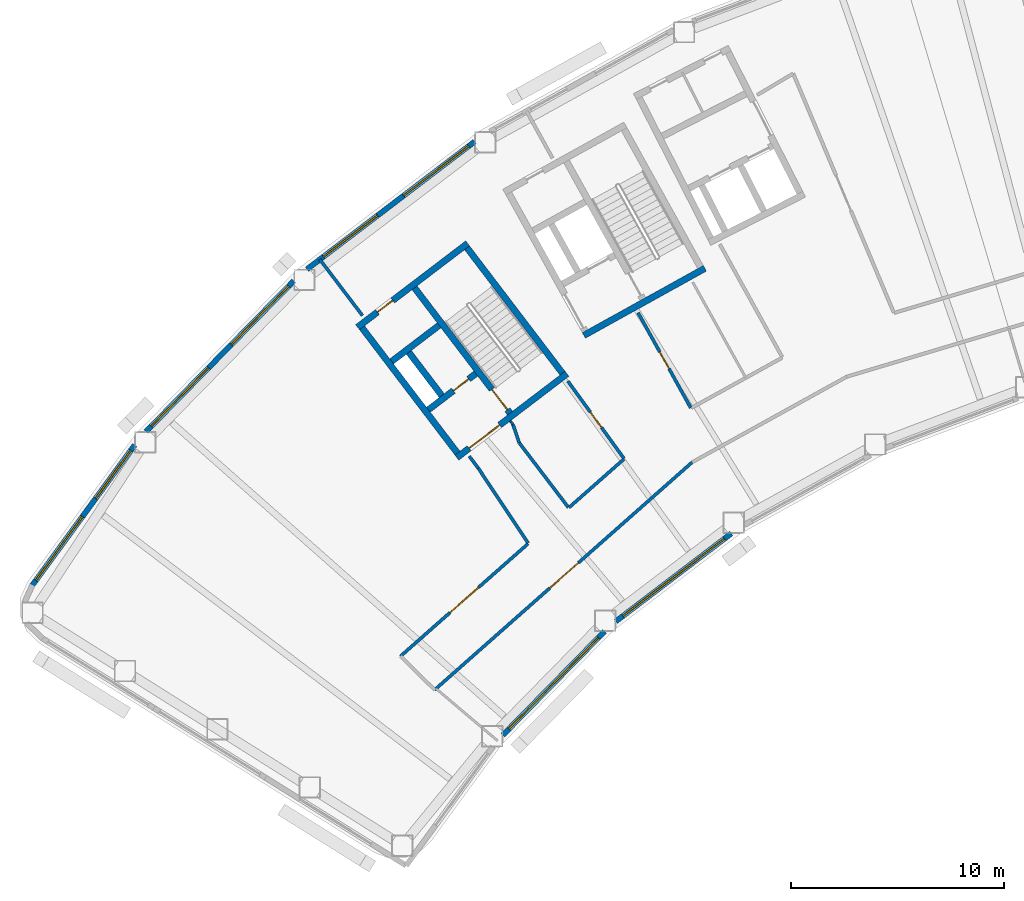
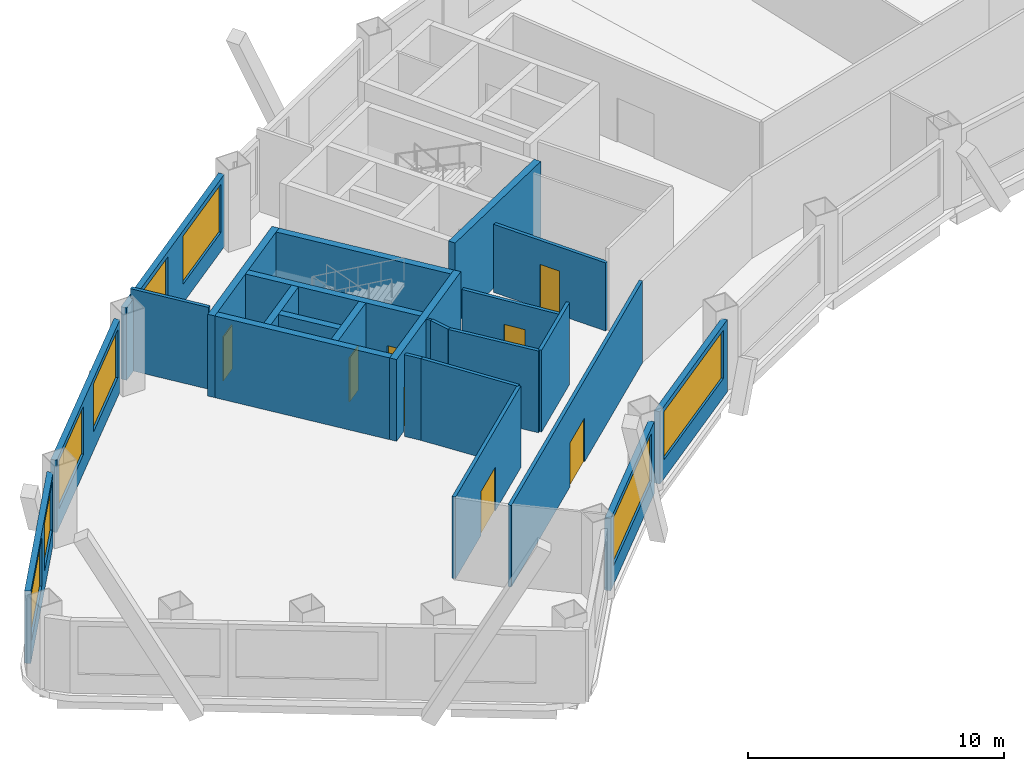
# One storey, part 3 of 11: 25 walls, 8 doors, 8 windows, 16 openings.
"""IFC4 building model written with IfcOpenShell, lengths in metres."""

import ifcopenshell
import ifcopenshell.guid

model = None  # the IFC model being written
_history = None  # IfcOwnerHistory: only IFC2X3 demands one
_inside = {}  # id of a spatial element -> (the spatial element, [elements in it])
_under = {}  # id of a project, library or spatial element -> (it, [spatial elements below it])
_declared = {}  # id of a project -> (the project, [libraries it declares])
_typed = {}  # id of a type object -> (the type object, [elements of that type])
_made_of = {}  # id of a material, layer set ... -> (it, [elements and type objects made of it])


def new_model(schema):
    """Start an empty IFC model of exactly this schema.

    Asked for "IFC4X3", IfcOpenShell would pick the latest addendum, in which some entities
    have other attributes; the version numbers below select the first issue.
    IFC2X3 requires an IfcOwnerHistory on every rooted entity: one is made here for all.
    """
    global model, _history
    if schema == "IFC4X3":
        model = ifcopenshell.file(schema_version=(4, 3, 0, 0))
    else:
        model = ifcopenshell.file(schema=schema)
    _inside.clear()
    _under.clear()
    _declared.clear()
    _typed.clear()
    _made_of.clear()
    _history = None
    if model.schema == "IFC2X3":
        org = make("IfcOrganization", Name="unknown")
        user = make(
            "IfcPersonAndOrganization",
            ThePerson=make("IfcPerson", FamilyName="unknown"),
            TheOrganization=org,
        )
        app = make(
            "IfcApplication",
            ApplicationDeveloper=org,
            Version="unknown",
            ApplicationFullName="unknown",
            ApplicationIdentifier="unknown",
        )
        _history = make(
            "IfcOwnerHistory",
            OwningUser=user,
            OwningApplication=app,
            ChangeAction="ADDED",
            CreationDate=0,
        )
    return model


def make(cls, **values):
    """One entity of the class cls with the attributes given. An attribute that is None is left unset."""
    return model.create_entity(
        cls, **{name: value for name, value in values.items() if value is not None}
    )


def rooted(cls, **values):
    """An entity with a GlobalId (a new one), such as an element, a storey or a relation."""
    return make(cls, GlobalId=ifcopenshell.guid.new(), OwnerHistory=_history, **values)


def si_unit(unit_type, name, prefix=None):
    """IfcSIUnit, for example si_unit("LENGTHUNIT", "METRE", prefix="MILLI")."""
    return make("IfcSIUnit", UnitType=unit_type, Prefix=prefix, Name=name)


def assignment(units):
    """IfcUnitAssignment: the units of a project."""
    return None if units is None else make("IfcUnitAssignment", Units=units)


def point(xyz):
    """IfcCartesianPoint."""
    return None if xyz is None else make("IfcCartesianPoint", Coordinates=xyz)


def direction(xyz):
    """IfcDirection."""
    return None if xyz is None else make("IfcDirection", DirectionRatios=xyz)


def frame(location, z_axis=None, x_axis=None):
    """IfcAxis2Placement3D, a coordinate frame: its origin and axes. An axis left out is left unset."""
    return make(
        "IfcAxis2Placement3D",
        Location=point(location),
        Axis=direction(z_axis),
        RefDirection=direction(x_axis),
    )


def frame_2d(location, x_axis=None):
    """IfcAxis2Placement2D, a coordinate frame in the plane: its origin and x axis."""
    return make(
        "IfcAxis2Placement2D", Location=point(location), RefDirection=direction(x_axis)
    )


def origin():
    """The frame at (0, 0, 0) with its axes left unset."""
    return frame((0.0, 0.0, 0.0))


def place(relative_to, where):
    """IfcLocalPlacement: puts the frame where relative to a parent placement (None: the world)."""
    return make(
        "IfcLocalPlacement", PlacementRelTo=relative_to, RelativePlacement=where
    )


def context(
    kind, dimensions, precision=None, world=None, true_north=None, identifier=None
):
    """IfcGeometricRepresentationContext, for example the 3D "Model" context."""
    return make(
        "IfcGeometricRepresentationContext",
        ContextIdentifier=identifier,
        ContextType=kind,
        CoordinateSpaceDimension=dimensions,
        Precision=precision,
        WorldCoordinateSystem=world,
        TrueNorth=true_north,
    )


def subcontext(parent, identifier, kind, view, scale=None):
    """IfcGeometricRepresentationSubContext, for example "Body" below "Model"."""
    return make(
        "IfcGeometricRepresentationSubContext",
        ContextIdentifier=identifier,
        ContextType=kind,
        ParentContext=parent,
        TargetScale=scale,
        TargetView=view,
    )


def project(units=None, contexts=None):
    """IfcProject with its units and contexts."""
    return rooted(
        "IfcProject",
        Name="project",
        RepresentationContexts=contexts,
        UnitsInContext=assignment(units),
    )


def spatial(cls, under=None, at=None, **own):
    """A site, building, storey or space (cls), placed at a placement, below another one or the project."""
    s = rooted(cls, ObjectPlacement=at, **own)
    if under is not None:
        _under.setdefault(under.id(), (under, []))[1].append(s)
    return s


def profile(cls, at=None, kind="AREA", **sizes):
    """A parametric profile (cls). Its sizes go by their IFC names, for example OverallWidth=200.0."""
    return make(cls, ProfileType=kind, Position=at, **sizes)


def rectangle(**sizes):
    """IfcRectangleProfileDef."""
    return profile("IfcRectangleProfileDef", **sizes)


def extrude(swept, where, along, depth):
    """IfcExtrudedAreaSolid: the profile swept, set in the frame where, extruded along a direction by depth."""
    return make(
        "IfcExtrudedAreaSolid",
        SweptArea=swept,
        Position=where,
        ExtrudedDirection=direction(along),
        Depth=depth,
    )


def shape(context_of_items, identifier, shape_type, items):
    """IfcShapeRepresentation: the items that make up one representation, for example the "Body"."""
    return make(
        "IfcShapeRepresentation",
        ContextOfItems=context_of_items,
        RepresentationIdentifier=identifier,
        RepresentationType=shape_type,
        Items=items,
    )


def material(Name=None, Category=None):
    """IfcMaterial."""
    return make("IfcMaterial", Name=Name, Category=Category)


def layer(
    of_material, thickness, ventilated=None, Name=None, Category=None, Priority=None
):
    """IfcMaterialLayer: one layer of a wall or slab, of a material (None: an air gap)."""
    return make(
        "IfcMaterialLayer",
        Material=of_material,
        LayerThickness=thickness,
        IsVentilated=ventilated,
        Name=Name,
        Category=Category,
        Priority=Priority,
    )


def layer_set(layers, Name=None):
    """IfcMaterialLayerSet."""
    return make("IfcMaterialLayerSet", MaterialLayers=layers, LayerSetName=Name)


def made_of(thing, what):
    """Note that an element or type object is made of a material, layer set ...; save() writes the relation."""
    if what is not None:
        _made_of.setdefault(what.id(), (what, []))[1].append(thing)
    return thing


def type_object(cls, material=None, **own):
    """A type object (cls), such as IfcWallType, which elements share."""
    return made_of(rooted(cls, **own), material)


def element(
    cls,
    number,
    at=None,
    inside=None,
    cuts=None,
    type_object=None,
    material=None,
    context=None,
    identifier="Body",
    shape_type=None,
    held_by="IfcProductDefinitionShape",
    body=None,
    shapes=None,
    **own,
):
    """One element of the class cls, such as IfcWall. Its Tag is "e" and its number.

    at: its placement. inside: the storey or other place that contains it. cuts: it is an
    opening in that element (IfcRelVoidsElement). A single representation is given by context,
    identifier, shape_type and body (its items); several are given by shapes. held_by: the class
    of the entity that holds the representations. save() writes the other relations.
    """
    e = rooted(cls, Tag="e%d" % number, ObjectPlacement=at, **own)
    if body is not None:
        shapes = [shape(context, identifier, shape_type, body)]
    if shapes is not None:
        e.Representation = make(held_by, Representations=shapes)
    if inside is not None:
        _inside.setdefault(inside.id(), (inside, []))[1].append(e)
    if cuts is not None:
        rooted(
            "IfcRelVoidsElement", RelatingBuildingElement=cuts, RelatedOpeningElement=e
        )
    if type_object is not None:
        _typed.setdefault(type_object.id(), (type_object, []))[1].append(e)
    return made_of(e, material)


def fill(opening, filler):
    """IfcRelFillsElement: the door or window that sits in an opening."""
    return rooted(
        "IfcRelFillsElement",
        RelatingOpeningElement=opening,
        RelatedBuildingElement=filler,
    )


def aggregate(whole, parts):
    """IfcRelAggregates: a whole, such as a stair, and the parts it consists of."""
    return rooted("IfcRelAggregates", RelatingObject=whole, RelatedObjects=parts)


def save(model, path):
    """Write the relations noted so far, then the file.

    IfcRelAggregates (storeys below a building ...), IfcRelContainedInSpatialStructure (elements
    in a storey), IfcRelDefinesByType, IfcRelAssociatesMaterial and IfcRelDeclares: one each for
    every whole, place, type object, material and project.
    """
    for whole, parts in _under.values():
        aggregate(whole, parts)
    for where, things in _inside.values():
        rooted(
            "IfcRelContainedInSpatialStructure",
            RelatedElements=things,
            RelatingStructure=where,
        )
    for kind, things in _typed.values():
        rooted("IfcRelDefinesByType", RelatedObjects=things, RelatingType=kind)
    for what, things in _made_of.values():
        rooted("IfcRelAssociatesMaterial", RelatedObjects=things, RelatingMaterial=what)
    for by, libraries in _declared.values():
        rooted("IfcRelDeclares", RelatingContext=by, RelatedDefinitions=libraries)
    model.write(path)


model = new_model("IFC4")

# Units and contexts
model_context = context("Model", 3, precision=1e-05, world=origin(), true_north=direction((0.0, 1.0)))
body_context = subcontext(model_context, "Body", "Model", "MODEL_VIEW")
ifc_project = project(units=[si_unit("LENGTHUNIT", "METRE"), si_unit("AREAUNIT", "SQUARE_METRE"), si_unit("VOLUMEUNIT", "CUBIC_METRE"), si_unit("PLANEANGLEUNIT", "RADIAN"), si_unit("MASSUNIT", "GRAM", prefix="KILO")], contexts=[model_context])

# Site, building, storey
site_placement = place(None, origin())
site = spatial("IfcSite", under=ifc_project, at=site_placement, CompositionType="ELEMENT")
building_placement = place(site_placement, origin())
building = spatial("IfcBuilding", under=site, at=building_placement, Name="Tuul Gate Civic Tower", CompositionType="ELEMENT")
storey_placement = place(building_placement, frame((0.0, 0.0, 146.60009765625)))
storey = spatial("IfcBuildingStorey", under=building, at=storey_placement, Name="Level 33", CompositionType="ELEMENT", Elevation=146.60009765625)

# Wall, opening, door
ifc_material_1 = material(Name="Concrete C50/60", Category="concrete")
ifc_layer_1 = layer(ifc_material_1, 0.300048828125)
ifc_layer_set_1 = layer_set([ifc_layer_1], Name="Concrete C50/60")
wall_type_1 = type_object("IfcWallType", Name="Core wall C50/60", PredefinedType="SHEAR", material=ifc_layer_set_1)
wall_1_placement = place(storey_placement, frame((-31.19091796875, -13.669677734375, 0.0), z_axis=(0.0, 0.0, 1.0), x_axis=(-0.795606717756, -0.605813461934, 0.0)))
wall_1 = element("IfcWall", 1, at=wall_1_placement, inside=storey, type_object=wall_type_1, Name="Core wall", PredefinedType="SHEAR", context=body_context, shape_type="SweptSolid", body=[
    extrude(rectangle(XDim=6.5, YDim=0.300048828125, at=frame_2d((3.25, 0.0))), origin(), (0.0, 0.0, 1.0), 3.89990234375),
])
opening_1_placement = place(wall_1_placement, frame((3.97509765625, 0.0, 0.0)))
opening_1 = element("IfcOpeningElement", 2, at=opening_1_placement, cuts=wall_1, Name="Opening LB-W1-LOBBY-1", PredefinedType="OPENING", context=body_context, shape_type="SweptSolid", body=[
    extrude(rectangle(XDim=1.800048828125, YDim=2.10009765625, at=frame_2d((0.89990234375, 1.050048828125))), frame((0.0, 0.16015625, 0.0), z_axis=(0.0, -1.0, 0.0), x_axis=(1.0, 0.0, 0.0)), (0.0, 0.0, 1.0), 0.320068359375),
])
ifc_material_2 = material(Name="Steel", Category="steel")
door_type_1 = type_object("IfcDoorType", Name="Lobby door", OperationType="DOUBLE_DOOR_SINGLE_SWING", PredefinedType="DOOR", material=ifc_material_2)
door_1_placement = place(opening_1_placement, origin())
door_1 = element("IfcDoor", 3, at=door_1_placement, inside=storey, type_object=door_type_1, Name="Lobby door W1-LOBBY", OperationType="DOUBLE_DOOR_SINGLE_SWING", OverallHeight=2.10009765625, OverallWidth=1.800048828125, PredefinedType="DOOR", context=body_context, shape_type="SweptSolid", body=[
    extrude(rectangle(XDim=1.800048828125, YDim=2.10009765625, at=frame_2d((0.89990234375, 1.050048828125))), frame((0.0, 0.02490234375, 0.0), z_axis=(0.0, -1.0, 0.0), x_axis=(1.0, 0.0, 0.0)), (0.0, 0.0, 1.0), 0.050048828125),
])
fill(opening_1, door_1)

wall_2_placement = place(storey_placement, frame((-35.470947265625, -13.66064453125, 0.0), z_axis=(0.0, 0.0, 1.0), x_axis=(-0.795615822227, -0.605801504968, 0.0)))
wall_2 = element("IfcWall", 4, at=wall_2_placement, inside=storey, type_object=wall_type_1, Name="Core wall", PredefinedType="SHEAR", context=body_context, shape_type="SweptSolid", body=[
    extrude(rectangle(XDim=2.800048828125, YDim=0.300048828125, at=frame_2d((1.39990234375, 0.0))), origin(), (0.0, 0.0, 1.0), 3.89990234375),
])
opening_2_placement = place(wall_2_placement, frame((0.425048828125, 0.0, 0.0)))
opening_2 = element("IfcOpeningElement", 5, at=opening_2_placement, cuts=wall_2, Name="Opening FB-W1A1", PredefinedType="OPENING", context=body_context, shape_type="SweptSolid", body=[
    extrude(rectangle(XDim=0.89990234375, YDim=2.10009765625, at=frame_2d((0.449951171875, 1.050048828125))), frame((0.0, 0.16015625, 0.0), z_axis=(0.0, -1.0, 0.0), x_axis=(1.0, 0.0, 0.0)), (0.0, 0.0, 1.0), 0.320068359375),
])
ifc_material_3 = material(Name="Steel", Category="steel")
door_type_2 = type_object("IfcDoorType", Name="Store door", OperationType="NOTDEFINED", PredefinedType="DOOR", material=ifc_material_3)
door_2_placement = place(opening_2_placement, frame((0.89990234375, 0.0, 0.0), z_axis=(0.0, 0.0, 1.0), x_axis=(-1.0, 0.0, 0.0)))
door_2 = element("IfcDoor", 6, at=door_2_placement, inside=storey, type_object=door_type_2, Name="Store door W1A1", OperationType="SINGLE_SWING_RIGHT", OverallHeight=2.10009765625, OverallWidth=0.89990234375, PredefinedType="DOOR", context=body_context, shape_type="SweptSolid", body=[
    extrude(rectangle(XDim=0.89990234375, YDim=2.10009765625, at=frame_2d((0.449951171875, 1.050048828125))), frame((0.0, 0.02490234375, 0.0), z_axis=(0.0, -1.0, 0.0), x_axis=(1.0, 0.0, 0.0)), (0.0, 0.0, 1.0), 0.050048828125),
])
fill(opening_2, door_2)

# Wall
wall_3_placement = place(storey_placement, frame((-37.197509765625, -11.39306640625, 0.0), z_axis=(0.0, 0.0, 1.0), x_axis=(-0.795583820278, -0.605843531707, 0.0)))
element("IfcWall", 7, at=wall_3_placement, inside=storey, type_object=wall_type_1, Name="Core wall", PredefinedType="SHEAR", context=body_context, shape_type="SweptSolid", body=[
    extrude(rectangle(XDim=2.7998046875, YDim=0.300048828125, at=frame_2d((1.39990234375, 0.0))), origin(), (0.0, 0.0, 1.0), 3.89990234375),
])

# Wall, opening, door
wall_4_placement = place(storey_placement, frame((-35.855224609375, -7.543212890625, 0.0), z_axis=(0.0, 0.0, 1.0), x_axis=(-0.79563860527, -0.605771582202, 0.0)))
wall_4 = element("IfcWall", 8, at=wall_4_placement, inside=storey, type_object=wall_type_1, Name="Core wall", PredefinedType="SHEAR", context=body_context, shape_type="SweptSolid", body=[
    extrude(rectangle(XDim=6.5, YDim=0.300048828125, at=frame_2d((3.25, 0.0))), origin(), (0.0, 0.0, 1.0), 3.89990234375),
])
opening_3_placement = place(wall_4_placement, frame((4.425048828125, 0.0, 0.0)))
opening_3 = element("IfcOpeningElement", 9, at=opening_3_placement, cuts=wall_4, Name="Opening L-D11", PredefinedType="OPENING", context=body_context, shape_type="SweptSolid", body=[
    extrude(rectangle(XDim=0.89990234375, YDim=2.10009765625, at=frame_2d((0.449951171875, 1.050048828125))), frame((0.0, 0.16015625, 0.0), z_axis=(0.0, -1.0, 0.0), x_axis=(1.0, 0.0, 0.0)), (0.0, 0.0, 1.0), 0.320068359375),
])
ifc_material_4 = material(Name="Timber door leaf", Category="wood")
door_type_3 = type_object("IfcDoorType", Name="Door D09", OperationType="NOTDEFINED", PredefinedType="DOOR", material=ifc_material_4)
door_3_placement = place(opening_3_placement, origin())
door_3 = element("IfcDoor", 10, at=door_3_placement, inside=storey, type_object=door_type_3, Name="Door L-D11", OperationType="SINGLE_SWING_LEFT", OverallHeight=2.10009765625, OverallWidth=0.89990234375, PredefinedType="DOOR", context=body_context, shape_type="SweptSolid", body=[
    extrude(rectangle(XDim=0.89990234375, YDim=2.10009765625, at=frame_2d((0.449951171875, 1.050048828125))), frame((0.0, 0.02490234375, 0.0), z_axis=(0.0, -1.0, 0.0), x_axis=(1.0, 0.0, 0.0)), (0.0, 0.0, 1.0), 0.050048828125),
])
fill(opening_3, door_3)

# Wall
wall_5_placement = place(storey_placement, frame((-31.401123046875, -13.64111328125, 0.0), z_axis=(0.0, 0.0, 1.0), x_axis=(-0.605769822278, 0.795639945213, 0.0)))
element("IfcWall", 11, at=wall_5_placement, inside=storey, type_object=wall_type_1, Name="Core wall", PredefinedType="SHEAR", context=body_context, shape_type="SweptSolid", body=[
    extrude(rectangle(XDim=7.39990234375, YDim=0.300048828125, at=frame_2d((3.699951171875, 0.0))), origin(), (0.0, 0.0, 1.0), 3.89990234375),
])

# Wall, opening, door
wall_6_placement = place(storey_placement, frame((-33.867431640625, -15.51904296875, 0.0), z_axis=(0.0, 0.0, 1.0), x_axis=(-0.605769822278, 0.795639945213, 0.0)))
wall_6 = element("IfcWall", 12, at=wall_6_placement, inside=storey, type_object=wall_type_1, Name="Core wall", PredefinedType="SHEAR", context=body_context, shape_type="SweptSolid", body=[
    extrude(rectangle(XDim=7.39990234375, YDim=0.300048828125, at=frame_2d((3.699951171875, 0.0))), origin(), (0.0, 0.0, 1.0), 3.89990234375),
])
opening_4_placement = place(wall_6_placement, frame((0.199951171875, 0.0, 0.0)))
opening_4 = element("IfcOpeningElement", 13, at=opening_4_placement, cuts=wall_6, Name="Opening SD-ST-1", PredefinedType="OPENING", context=body_context, shape_type="SweptSolid", body=[
    extrude(rectangle(XDim=1.199951171875, YDim=2.10009765625, at=frame_2d((0.60009765625, 1.050048828125))), frame((0.0, 0.16015625, 0.0), z_axis=(0.0, -1.0, 0.0), x_axis=(1.0, 0.0, 0.0)), (0.0, 0.0, 1.0), 0.320068359375),
])
ifc_material_5 = material(Name="Steel", Category="steel")
door_type_4 = type_object("IfcDoorType", Name="Stair door", OperationType="NOTDEFINED", PredefinedType="DOOR", material=ifc_material_5)
door_4_placement = place(opening_4_placement, origin())
door_4 = element("IfcDoor", 14, at=door_4_placement, inside=storey, type_object=door_type_4, Name="Stair door ST-1", OperationType="SINGLE_SWING_LEFT", OverallHeight=2.10009765625, OverallWidth=1.199951171875, PredefinedType="DOOR", context=body_context, shape_type="SweptSolid", body=[
    extrude(rectangle(XDim=1.199951171875, YDim=2.10009765625, at=frame_2d((0.60009765625, 1.050048828125))), frame((0.0, 0.02490234375, 0.0), z_axis=(0.0, -1.0, 0.0), x_axis=(1.0, 0.0, 0.0)), (0.0, 0.0, 1.0), 0.050048828125),
])
fill(opening_4, door_4)

# Walls
wall_7_placement = place(storey_placement, frame((-37.073486328125, -14.6923828125, 0.0), z_axis=(0.0, 0.0, 1.0), x_axis=(-0.605728760074, 0.79567120673, 0.0)))
element("IfcWall", 15, at=wall_7_placement, inside=storey, type_object=wall_type_1, Name="Core wall", PredefinedType="SHEAR", context=body_context, shape_type="SweptSolid", body=[
    extrude(rectangle(XDim=2.550048828125, YDim=0.300048828125, at=frame_2d((1.27490234375, 0.0))), origin(), (0.0, 0.0, 1.0), 3.89990234375),
])
wall_8_placement = place(storey_placement, frame((-36.333984375, -17.397216796875, 0.0), z_axis=(0.0, 0.0, 1.0), x_axis=(-0.605753921168, 0.795652051458, 0.0)))
element("IfcWall", 16, at=wall_8_placement, inside=storey, type_object=wall_type_1, Name="Core wall", PredefinedType="SHEAR", context=body_context, shape_type="SweptSolid", body=[
    extrude(rectangle(XDim=7.400146484375, YDim=0.300048828125, at=frame_2d((3.7001953125, 0.0))), origin(), (0.0, 0.0, 1.0), 3.89990234375),
])
wall_9_placement = place(storey_placement, frame((-24.711669921875, -8.7158203125, 0.0), z_axis=(0.0, 0.0, 1.0), x_axis=(-0.874629909008, -0.484791215132, 0.0)))
element("IfcWall", 17, at=wall_9_placement, inside=storey, type_object=wall_type_1, Name="Core wall", PredefinedType="SHEAR", context=body_context, shape_type="SweptSolid", body=[
    extrude(rectangle(XDim=6.5, YDim=0.300048828125, at=frame_2d((3.25, 0.0))), origin(), (0.0, 0.0, 1.0), 3.89990234375),
])
ifc_material_6 = material(Name="Gypsum board partition")
ifc_layer_2 = layer(ifc_material_6, 0.14990234375)
ifc_layer_set_2 = layer_set([ifc_layer_2], Name="Gypsum board partition")
wall_type_2 = type_object("IfcWallType", Name="Corridor wall P150", PredefinedType="PARTITIONING", material=ifc_layer_set_2)
wall_10_placement = place(storey_placement, frame((-42.802001953125, -8.295166015625, 0.0), z_axis=(0.0, 0.0, 1.0), x_axis=(0.60469797749, -0.796454867535, 0.0)))
element("IfcWall", 18, at=wall_10_placement, inside=storey, type_object=wall_type_2, Name="p029", PredefinedType="PARTITIONING", context=body_context, shape_type="SweptSolid", body=[
    extrude(rectangle(XDim=3.310302734375, YDim=0.14990234375, at=frame_2d((1.6552734375, 0.0))), origin(), (0.0, 0.0, 1.0), 3.89990234375),
])
wall_11_placement = place(storey_placement, frame((-35.781982421875, -17.54248046875, 0.0), z_axis=(0.0, 0.0, 1.0), x_axis=(0.604688945267, -0.796461725052, 0.0)))
element("IfcWall", 19, at=wall_11_placement, inside=storey, type_object=wall_type_2, Name="p030", PredefinedType="PARTITIONING", context=body_context, shape_type="SweptSolid", body=[
    extrude(rectangle(XDim=0.70654296875, YDim=0.14990234375, at=frame_2d((0.353271484375, 0.0))), origin(), (0.0, 0.0, 1.0), 3.89990234375),
])
wall_12_placement = place(storey_placement, frame((-35.354736328125, -18.105224609375, 0.0), z_axis=(0.0, 0.0, 1.0), x_axis=(0.553299799825, -0.832982191594, 0.0)))
element("IfcWall", 20, at=wall_12_placement, inside=storey, type_object=wall_type_2, Name="p031", PredefinedType="PARTITIONING", context=body_context, shape_type="SweptSolid", body=[
    extrude(rectangle(XDim=4.2265625, YDim=0.14990234375, at=frame_2d((2.11328125, 0.0))), origin(), (0.0, 0.0, 1.0), 3.89990234375),
])

# Wall, opening, door
wall_13_placement = place(storey_placement, frame((-39.0068359375, -26.9365234375, 0.0), z_axis=(0.0, 0.0, 1.0), x_axis=(0.749806624539, 0.66165703034, 0.0)))
wall_13 = element("IfcWall", 21, at=wall_13_placement, inside=storey, type_object=wall_type_2, Name="p032", PredefinedType="PARTITIONING", context=body_context, shape_type="SweptSolid", body=[
    extrude(rectangle(XDim=7.98486328125, YDim=0.14990234375, at=frame_2d((3.992431640625, 0.0))), origin(), (0.0, 0.0, 1.0), 3.89990234375),
])
opening_5_placement = place(wall_13_placement, frame((3.09228515625, 0.0, 0.0)))
opening_5 = element("IfcOpeningElement", 22, at=opening_5_placement, cuts=wall_13, Name="Opening L-D07", PredefinedType="OPENING", context=body_context, shape_type="SweptSolid", body=[
    extrude(rectangle(XDim=1.800048828125, YDim=2.10009765625, at=frame_2d((0.89990234375, 1.050048828125))), frame((0.0, 0.0849609375, 0.0), z_axis=(0.0, -1.0, 0.0), x_axis=(1.0, 0.0, 0.0)), (0.0, 0.0, 1.0), 0.169921875),
])
ifc_material_7 = material(Name="Timber door leaf, double", Category="wood")
door_type_5 = type_object("IfcDoorType", Name="Door D18", OperationType="DOUBLE_DOOR_SINGLE_SWING", PredefinedType="DOOR", material=ifc_material_7)
door_5_placement = place(opening_5_placement, origin())
door_5 = element("IfcDoor", 23, at=door_5_placement, inside=storey, type_object=door_type_5, Name="Door L-D07", OperationType="DOUBLE_DOOR_SINGLE_SWING", OverallHeight=2.10009765625, OverallWidth=1.800048828125, PredefinedType="DOOR", context=body_context, shape_type="SweptSolid", body=[
    extrude(rectangle(XDim=1.800048828125, YDim=2.10009765625, at=frame_2d((0.89990234375, 1.050048828125))), frame((0.0, 0.02490234375, 0.0), z_axis=(0.0, -1.0, 0.0), x_axis=(1.0, 0.0, 0.0)), (0.0, 0.0, 1.0), 0.050048828125),
])
fill(opening_5, door_5)

# Wall
wall_14_placement = place(storey_placement, frame((-31.09228515625, -19.9521484375, 0.0), z_axis=(0.0, 0.0, 1.0), x_axis=(0.749802618554, 0.661661569996, 0.0)))
element("IfcWall", 24, at=wall_14_placement, inside=storey, type_object=wall_type_2, Name="p033", PredefinedType="PARTITIONING", context=body_context, shape_type="SweptSolid", body=[
    extrude(rectangle(XDim=3.4375, YDim=0.14990234375, at=frame_2d((1.71875, 0.0))), origin(), (0.0, 0.0, 1.0), 3.89990234375),
])

# Wall, opening, door
wall_15_placement = place(storey_placement, frame((-37.405517578125, -28.517333984375, 0.0), z_axis=(0.0, 0.0, 1.0), x_axis=(0.749274461917, 0.66225960221, 0.0)))
wall_15 = element("IfcWall", 25, at=wall_15_placement, inside=storey, type_object=wall_type_2, Name="p035", PredefinedType="PARTITIONING", context=body_context, shape_type="SweptSolid", body=[
    extrude(rectangle(XDim=16.144287109375, YDim=0.14990234375, at=frame_2d((8.072265625, 0.0))), origin(), (0.0, 0.0, 1.0), 3.89990234375),
])
opening_6_placement = place(wall_15_placement, frame((7.215087890625, 0.0, 0.0)))
opening_6 = element("IfcOpeningElement", 26, at=opening_6_placement, cuts=wall_15, Name="Opening L-D09", PredefinedType="OPENING", context=body_context, shape_type="SweptSolid", body=[
    extrude(rectangle(XDim=1.800048828125, YDim=2.10009765625, at=frame_2d((0.89990234375, 1.050048828125))), frame((0.0, 0.0849609375, 0.0), z_axis=(0.0, -1.0, 0.0), x_axis=(1.0, 0.0, 0.0)), (0.0, 0.0, 1.0), 0.169921875),
])
door_6_placement = place(opening_6_placement, frame((1.800048828125, 0.0, 0.0), z_axis=(0.0, 0.0, 1.0), x_axis=(-1.0, 0.0, 0.0)))
door_6 = element("IfcDoor", 27, at=door_6_placement, inside=storey, type_object=door_type_5, Name="Door L-D09", OperationType="DOUBLE_DOOR_SINGLE_SWING", OverallHeight=2.10009765625, OverallWidth=1.800048828125, PredefinedType="DOOR", context=body_context, shape_type="SweptSolid", body=[
    extrude(rectangle(XDim=1.800048828125, YDim=2.10009765625, at=frame_2d((0.900146484375, 1.050048828125))), frame((0.0, 0.02490234375, 0.0), z_axis=(0.0, -1.0, 0.0), x_axis=(1.0, 0.0, 0.0)), (0.0, 0.0, 1.0), 0.050048828125),
])
fill(opening_6, door_6)

# Walls
wall_16_placement = place(storey_placement, frame((-33.427001953125, -16.922607421875, 0.0), z_axis=(0.0, 0.0, 1.0), x_axis=(0.605786007011, -0.795627622515, 0.0)))
element("IfcWall", 28, at=wall_16_placement, inside=storey, type_object=wall_type_2, Name="p043", PredefinedType="PARTITIONING", context=body_context, shape_type="SweptSolid", body=[
    extrude(rectangle(XDim=3.803955078125, YDim=0.14990234375, at=frame_2d((1.90185546875, 0.0))), origin(), (0.0, 0.0, 1.0), 3.89990234375),
])
wall_17_placement = place(storey_placement, frame((-33.7265625, -16.053466796875, 0.0), z_axis=(0.0, 0.0, 1.0), x_axis=(0.324570788901, -0.94586140792, 0.0)))
element("IfcWall", 29, at=wall_17_placement, inside=storey, type_object=wall_type_2, Name="p044", PredefinedType="PARTITIONING", context=body_context, shape_type="SweptSolid", body=[
    extrude(rectangle(XDim=0.91162109375, YDim=0.14990234375, at=frame_2d((0.455810546875, 0.0))), origin(), (0.0, 0.0, 1.0), 3.89990234375),
])

# Wall, opening, door
ifc_material_8 = material(Name="Gypsum board partition")
ifc_layer_3 = layer(ifc_material_8, 0.14990234375)
ifc_layer_set_3 = layer_set([ifc_layer_3], Name="Gypsum board partition")
wall_type_3 = type_object("IfcWallType", Name="Corridor wall P150 3250 HIGH", PredefinedType="PARTITIONING", material=ifc_layer_set_3)
wall_18_placement = place(storey_placement, frame((-27.850341796875, -10.799560546875, 0.0), z_axis=(0.0, 0.0, 1.0), x_axis=(0.484294976114, -0.874904781168, 0.0)))
wall_18 = element("IfcWall", 30, at=wall_18_placement, inside=storey, type_object=wall_type_3, Name="p027", PredefinedType="PARTITIONING", context=body_context, shape_type="SweptSolid", body=[
    extrude(rectangle(XDim=5.107666015625, YDim=0.14990234375, at=frame_2d((2.5537109375, 0.0))), origin(), (0.0, 0.0, 1.0), 3.25),
])
opening_7_placement = place(wall_18_placement, frame((2.103759765625, 0.0, 0.0)))
opening_7 = element("IfcOpeningElement", 31, at=opening_7_placement, cuts=wall_18, Name="Opening L-D06", PredefinedType="OPENING", context=body_context, shape_type="SweptSolid", body=[
    extrude(rectangle(XDim=0.89990234375, YDim=2.10009765625, at=frame_2d((0.449951171875, 1.050048828125))), frame((0.0, 0.0849609375, 0.0), z_axis=(0.0, -1.0, 0.0), x_axis=(1.0, 0.0, 0.0)), (0.0, 0.0, 1.0), 0.169921875),
])
door_7_placement = place(opening_7_placement, origin())
door_7 = element("IfcDoor", 32, at=door_7_placement, inside=storey, type_object=door_type_3, Name="Door L-D06", OperationType="SINGLE_SWING_RIGHT", OverallHeight=2.10009765625, OverallWidth=0.89990234375, PredefinedType="DOOR", context=body_context, shape_type="SweptSolid", body=[
    extrude(rectangle(XDim=0.89990234375, YDim=2.10009765625, at=frame_2d((0.449951171875, 1.050048828125))), frame((0.0, 0.02490234375, 0.0), z_axis=(0.0, -1.0, 0.0), x_axis=(1.0, 0.0, 0.0)), (0.0, 0.0, 1.0), 0.050048828125),
])
fill(opening_7, door_7)

wall_19_placement = place(storey_placement, frame((-31.1484375, -14.015625, 0.0), z_axis=(0.0, 0.0, 1.0), x_axis=(0.587240188271, -0.809412726166, 0.0)))
wall_19 = element("IfcWall", 33, at=wall_19_placement, inside=storey, type_object=wall_type_3, Name="p042", PredefinedType="PARTITIONING", context=body_context, shape_type="SweptSolid", body=[
    extrude(rectangle(XDim=4.489990234375, YDim=0.14990234375, at=frame_2d((2.2451171875, 0.0))), origin(), (0.0, 0.0, 1.0), 3.25),
])
opening_8_placement = place(wall_19_placement, frame((1.794921875, 0.0, 0.0)))
opening_8 = element("IfcOpeningElement", 34, at=opening_8_placement, cuts=wall_19, Name="Opening L-D10", PredefinedType="OPENING", context=body_context, shape_type="SweptSolid", body=[
    extrude(rectangle(XDim=0.89990234375, YDim=2.10009765625, at=frame_2d((0.449951171875, 1.050048828125))), frame((0.0, 0.0849609375, 0.0), z_axis=(0.0, -1.0, 0.0), x_axis=(1.0, 0.0, 0.0)), (0.0, 0.0, 1.0), 0.169921875),
])
door_8_placement = place(opening_8_placement, frame((0.89990234375, 0.0, 0.0), z_axis=(0.0, 0.0, 1.0), x_axis=(-1.0, 0.0, 0.0)))
door_8 = element("IfcDoor", 35, at=door_8_placement, inside=storey, type_object=door_type_3, Name="Door L-D10", OperationType="SINGLE_SWING_LEFT", OverallHeight=2.10009765625, OverallWidth=0.89990234375, PredefinedType="DOOR", context=body_context, shape_type="SweptSolid", body=[
    extrude(rectangle(XDim=0.89990234375, YDim=2.10009765625, at=frame_2d((0.449951171875, 1.050048828125))), frame((0.0, 0.02490234375, 0.0), z_axis=(0.0, -1.0, 0.0), x_axis=(1.0, 0.0, 0.0)), (0.0, 0.0, 1.0), 0.050048828125),
])
fill(opening_8, door_8)

# Wall, openings, windows
ifc_material_9 = material(Name="Precast concrete C40/50", Category="concrete")
ifc_layer_4 = layer(ifc_material_9, 0.25)
ifc_layer_set_4 = layer_set([ifc_layer_4], Name="Precast concrete C40/50")
wall_type_4 = type_object("IfcWallType", Name="External wall", PredefinedType="STANDARD", material=ifc_layer_set_4)
wall_20_placement = place(storey_placement, frame((-35.528076171875, -2.7626953125, 0.0), z_axis=(0.0, 0.0, 1.0), x_axis=(-0.79560098888, -0.605820985518, 0.0)))
wall_20 = element("IfcWall", 36, at=wall_20_placement, inside=storey, type_object=wall_type_4, Name="External wall", PredefinedType="STANDARD", context=body_context, shape_type="SweptSolid", body=[
    extrude(rectangle(XDim=9.89794921875, YDim=0.25, at=frame_2d((4.948974609375, 0.0))), origin(), (0.0, 0.0, 1.0), 3.449951171875),
])
opening_9_placement = place(wall_20_placement, frame((0.347412109375, 0.0, 0.89990234375)))
opening_9 = element("IfcOpeningElement", 37, at=opening_9_placement, cuts=wall_20, Name="Opening W22", PredefinedType="OPENING", context=body_context, shape_type="SweptSolid", body=[
    extrude(rectangle(XDim=3.85009765625, YDim=2.300048828125, at=frame_2d((1.925048828125, 1.14990234375))), frame((0.0, 0.135009765625, 0.0), z_axis=(0.0, -1.0, 0.0), x_axis=(1.0, 0.0, 0.0)), (0.0, 0.0, 1.0), 0.27001953125),
])
opening_10_placement = place(wall_20_placement, frame((5.72900390625, 0.0, 0.89990234375)))
opening_10 = element("IfcOpeningElement", 38, at=opening_10_placement, cuts=wall_20, Name="Opening W48", PredefinedType="OPENING", context=body_context, shape_type="SweptSolid", body=[
    extrude(rectangle(XDim=3.199951171875, YDim=2.300048828125, at=frame_2d((1.60009765625, 1.14990234375))), frame((0.0, 0.135009765625, 0.0), z_axis=(0.0, -1.0, 0.0), x_axis=(1.0, 0.0, 0.0)), (0.0, 0.0, 1.0), 0.27001953125),
])
ifc_material_10 = material(Name="Glass", Category="glass")
window_type_1 = type_object("IfcWindowType", Name="Window 3200 x 2300", PartitioningType="SINGLE_PANEL", PredefinedType="WINDOW", material=ifc_material_10)
window_1_placement = place(opening_10_placement, origin())
window_1 = element("IfcWindow", 39, at=window_1_placement, inside=storey, type_object=window_type_1, Name="Window", OverallHeight=2.300048828125, OverallWidth=3.199951171875, PartitioningType="SINGLE_PANEL", PredefinedType="WINDOW", context=body_context, shape_type="SweptSolid", body=[
    extrude(rectangle(XDim=3.199951171875, YDim=2.300048828125, at=frame_2d((1.60009765625, 1.14990234375))), frame((0.0, 0.030029296875, 0.0), z_axis=(0.0, -1.0, 0.0), x_axis=(1.0, 0.0, 0.0)), (0.0, 0.0, 1.0), 0.06005859375),
])
fill(opening_10, window_1)
ifc_material_11 = material(Name="Glass", Category="glass")
window_type_2 = type_object("IfcWindowType", Name="Window W22 3850 x 2300", PartitioningType="SINGLE_PANEL", PredefinedType="WINDOW", material=ifc_material_11)
window_2_placement = place(opening_9_placement, origin())
window_2 = element("IfcWindow", 40, at=window_2_placement, inside=storey, type_object=window_type_2, Name="Window", OverallHeight=2.300048828125, OverallWidth=3.85009765625, PartitioningType="SINGLE_PANEL", PredefinedType="WINDOW", context=body_context, shape_type="SweptSolid", body=[
    extrude(rectangle(XDim=3.85009765625, YDim=2.300048828125, at=frame_2d((1.925048828125, 1.14990234375))), frame((0.0, 0.030029296875, 0.0), z_axis=(0.0, -1.0, 0.0), x_axis=(1.0, 0.0, 0.0)), (0.0, 0.0, 1.0), 0.06005859375),
])
fill(opening_9, window_2)

wall_21_placement = place(storey_placement, frame((-44.02392578125, -9.3056640625, 0.0), z_axis=(0.0, 0.0, 1.0), x_axis=(-0.700052449461, -0.714091428323, 0.0)))
wall_21 = element("IfcWall", 41, at=wall_21_placement, inside=storey, type_object=wall_type_4, Name="External wall", PredefinedType="STANDARD", context=body_context, shape_type="SweptSolid", body=[
    extrude(rectangle(XDim=9.912353515625, YDim=0.25, at=frame_2d((4.9560546875, 0.0))), origin(), (0.0, 0.0, 1.0), 3.449951171875),
])
opening_11_placement = place(wall_21_placement, frame((0.344482421875, 0.0, 0.89990234375)))
opening_11 = element("IfcOpeningElement", 42, at=opening_11_placement, cuts=wall_21, Name="Opening W22", PredefinedType="OPENING", context=body_context, shape_type="SweptSolid", body=[
    extrude(rectangle(XDim=3.85009765625, YDim=2.300048828125, at=frame_2d((1.925048828125, 1.14990234375))), frame((0.0, 0.135009765625, 0.0), z_axis=(0.0, -1.0, 0.0), x_axis=(1.0, 0.0, 0.0)), (0.0, 0.0, 1.0), 0.27001953125),
])
opening_12_placement = place(wall_21_placement, frame((5.715576171875, 0.0, 0.89990234375)))
opening_12 = element("IfcOpeningElement", 43, at=opening_12_placement, cuts=wall_21, Name="Opening W22", PredefinedType="OPENING", context=body_context, shape_type="SweptSolid", body=[
    extrude(rectangle(XDim=3.85009765625, YDim=2.300048828125, at=frame_2d((1.925048828125, 1.14990234375))), frame((0.0, 0.135009765625, 0.0), z_axis=(0.0, -1.0, 0.0), x_axis=(1.0, 0.0, 0.0)), (0.0, 0.0, 1.0), 0.27001953125),
])
window_3_placement = place(opening_11_placement, origin())
window_3 = element("IfcWindow", 44, at=window_3_placement, inside=storey, type_object=window_type_2, Name="Window", OverallHeight=2.300048828125, OverallWidth=3.85009765625, PartitioningType="SINGLE_PANEL", PredefinedType="WINDOW", context=body_context, shape_type="SweptSolid", body=[
    extrude(rectangle(XDim=3.85009765625, YDim=2.300048828125, at=frame_2d((1.925048828125, 1.14990234375))), frame((0.0, 0.030029296875, 0.0), z_axis=(0.0, -1.0, 0.0), x_axis=(1.0, 0.0, 0.0)), (0.0, 0.0, 1.0), 0.06005859375),
])
fill(opening_11, window_3)
window_4_placement = place(opening_12_placement, origin())
window_4 = element("IfcWindow", 45, at=window_4_placement, inside=storey, type_object=window_type_2, Name="Window", OverallHeight=2.300048828125, OverallWidth=3.85009765625, PartitioningType="SINGLE_PANEL", PredefinedType="WINDOW", context=body_context, shape_type="SweptSolid", body=[
    extrude(rectangle(XDim=3.85009765625, YDim=2.300048828125, at=frame_2d((1.925048828125, 1.14990234375))), frame((0.0, 0.030029296875, 0.0), z_axis=(0.0, -1.0, 0.0), x_axis=(1.0, 0.0, 0.0)), (0.0, 0.0, 1.0), 0.06005859375),
])
fill(opening_12, window_4)

wall_22_placement = place(storey_placement, frame((-51.498046875, -17.017578125, 0.0), z_axis=(0.0, 0.0, 1.0), x_axis=(-0.589745261817, -0.807589330145, 0.0)))
wall_22 = element("IfcWall", 46, at=wall_22_placement, inside=storey, type_object=wall_type_4, Name="External wall", PredefinedType="STANDARD", context=body_context, shape_type="SweptSolid", body=[
    extrude(rectangle(XDim=8.167724609375, YDim=0.25, at=frame_2d((4.083984375, 0.0))), origin(), (0.0, 0.0, 1.0), 3.449951171875),
])
opening_13_placement = place(wall_22_placement, frame((0.315185546875, 0.0, 0.89990234375)))
opening_13 = element("IfcOpeningElement", 47, at=opening_13_placement, cuts=wall_22, Name="Opening W23", PredefinedType="OPENING", context=body_context, shape_type="SweptSolid", body=[
    extrude(rectangle(XDim=2.800048828125, YDim=2.300048828125, at=frame_2d((1.39990234375, 1.14990234375))), frame((0.0, 0.135009765625, 0.0), z_axis=(0.0, -1.0, 0.0), x_axis=(1.0, 0.0, 0.0)), (0.0, 0.0, 1.0), 0.27001953125),
])
opening_14_placement = place(wall_22_placement, frame((4.1669921875, 0.0, 0.89990234375)))
opening_14 = element("IfcOpeningElement", 48, at=opening_14_placement, cuts=wall_22, Name="Opening W21", PredefinedType="OPENING", context=body_context, shape_type="SweptSolid", body=[
    extrude(rectangle(XDim=3.699951171875, YDim=2.300048828125, at=frame_2d((1.85009765625, 1.14990234375))), frame((0.0, 0.135009765625, 0.0), z_axis=(0.0, -1.0, 0.0), x_axis=(1.0, 0.0, 0.0)), (0.0, 0.0, 1.0), 0.27001953125),
])
ifc_material_12 = material(Name="Glass", Category="glass")
window_type_3 = type_object("IfcWindowType", Name="Window W21 3700 x 2300", PartitioningType="SINGLE_PANEL", PredefinedType="WINDOW", material=ifc_material_12)
window_5_placement = place(opening_14_placement, origin())
window_5 = element("IfcWindow", 49, at=window_5_placement, inside=storey, type_object=window_type_3, Name="Window", OverallHeight=2.300048828125, OverallWidth=3.699951171875, PartitioningType="SINGLE_PANEL", PredefinedType="WINDOW", context=body_context, shape_type="SweptSolid", body=[
    extrude(rectangle(XDim=3.699951171875, YDim=2.300048828125, at=frame_2d((1.85009765625, 1.14990234375))), frame((0.0, 0.030029296875, 0.0), z_axis=(0.0, -1.0, 0.0), x_axis=(1.0, 0.0, 0.0)), (0.0, 0.0, 1.0), 0.06005859375),
])
fill(opening_14, window_5)
ifc_material_13 = material(Name="Glass", Category="glass")
window_type_4 = type_object("IfcWindowType", Name="Window W23 2800 x 2300", PartitioningType="SINGLE_PANEL", PredefinedType="WINDOW", material=ifc_material_13)
window_6_placement = place(opening_13_placement, origin())
window_6 = element("IfcWindow", 50, at=window_6_placement, inside=storey, type_object=window_type_4, Name="Window", OverallHeight=2.300048828125, OverallWidth=2.800048828125, PartitioningType="SINGLE_PANEL", PredefinedType="WINDOW", context=body_context, shape_type="SweptSolid", body=[
    extrude(rectangle(XDim=2.800048828125, YDim=2.300048828125, at=frame_2d((1.39990234375, 1.14990234375))), frame((0.0, 0.030029296875, 0.0), z_axis=(0.0, -1.0, 0.0), x_axis=(1.0, 0.0, 0.0)), (0.0, 0.0, 1.0), 0.06005859375),
])
fill(opening_13, window_6)

# Wall, opening, window
wall_23_placement = place(storey_placement, frame((-34.20703125, -30.647216796875, 0.0), z_axis=(0.0, 0.0, 1.0), x_axis=(0.700046388208, 0.714097370361, 0.0)))
wall_23 = element("IfcWall", 51, at=wall_23_placement, inside=storey, type_object=wall_type_4, Name="External wall", PredefinedType="STANDARD", context=body_context, shape_type="SweptSolid", body=[
    extrude(rectangle(XDim=6.82861328125, YDim=0.25, at=frame_2d((3.414306640625, 0.0))), origin(), (0.0, 0.0, 1.0), 3.449951171875),
])
opening_15_placement = place(wall_23_placement, frame((0.4130859375, 0.0, 0.89990234375)))
opening_15 = element("IfcOpeningElement", 52, at=opening_15_placement, cuts=wall_23, Name="Opening W26", PredefinedType="OPENING", context=body_context, shape_type="SweptSolid", body=[
    extrude(rectangle(XDim=6.0, YDim=2.300048828125, at=frame_2d((3.0, 1.14990234375))), frame((0.0, 0.135009765625, 0.0), z_axis=(0.0, -1.0, 0.0), x_axis=(1.0, 0.0, 0.0)), (0.0, 0.0, 1.0), 0.27001953125),
])
ifc_material_14 = material(Name="Glass", Category="glass")
window_type_5 = type_object("IfcWindowType", Name="Window W26 6000 x 2300", PartitioningType="SINGLE_PANEL", PredefinedType="WINDOW", material=ifc_material_14)
window_7_placement = place(opening_15_placement, origin())
window_7 = element("IfcWindow", 53, at=window_7_placement, inside=storey, type_object=window_type_5, Name="Window", OverallHeight=2.300048828125, OverallWidth=6.0, PartitioningType="SINGLE_PANEL", PredefinedType="WINDOW", context=body_context, shape_type="SweptSolid", body=[
    extrude(rectangle(XDim=6.0, YDim=2.300048828125, at=frame_2d((3.0, 1.14990234375))), frame((0.0, 0.030029296875, 0.0), z_axis=(0.0, -1.0, 0.0), x_axis=(1.0, 0.0, 0.0)), (0.0, 0.0, 1.0), 0.06005859375),
])
fill(opening_15, window_7)

wall_24_placement = place(storey_placement, frame((-28.89306640625, -25.2998046875, 0.0), z_axis=(0.0, 0.0, 1.0), x_axis=(0.795597025415, 0.605826190546, 0.0)))
wall_24 = element("IfcWall", 54, at=wall_24_placement, inside=storey, type_object=wall_type_4, Name="External wall", PredefinedType="STANDARD", context=body_context, shape_type="SweptSolid", body=[
    extrude(rectangle(XDim=6.813232421875, YDim=0.25, at=frame_2d((3.40673828125, 0.0))), origin(), (0.0, 0.0, 1.0), 3.449951171875),
])
opening_16_placement = place(wall_24_placement, frame((0.41552734375, 0.0, 0.89990234375)))
opening_16 = element("IfcOpeningElement", 55, at=opening_16_placement, cuts=wall_24, Name="Opening W26", PredefinedType="OPENING", context=body_context, shape_type="SweptSolid", body=[
    extrude(rectangle(XDim=6.0, YDim=2.300048828125, at=frame_2d((3.0, 1.14990234375))), frame((0.0, 0.135009765625, 0.0), z_axis=(0.0, -1.0, 0.0), x_axis=(1.0, 0.0, 0.0)), (0.0, 0.0, 1.0), 0.27001953125),
])
window_8_placement = place(opening_16_placement, origin())
window_8 = element("IfcWindow", 56, at=window_8_placement, inside=storey, type_object=window_type_5, Name="Window", OverallHeight=2.300048828125, OverallWidth=6.0, PartitioningType="SINGLE_PANEL", PredefinedType="WINDOW", context=body_context, shape_type="SweptSolid", body=[
    extrude(rectangle(XDim=6.0, YDim=2.300048828125, at=frame_2d((3.0, 1.14990234375))), frame((0.0, 0.030029296875, 0.0), z_axis=(0.0, -1.0, 0.0), x_axis=(1.0, 0.0, 0.0)), (0.0, 0.0, 1.0), 0.06005859375),
])
fill(opening_16, window_8)

# Wall
ifc_material_15 = material(Name="Gypsum board partition")
ifc_layer_5 = layer(ifc_material_15, 0.10009765625)
ifc_layer_set_5 = layer_set([ifc_layer_5], Name="Gypsum board partition")
wall_type_5 = type_object("IfcWallType", Name="Partition P100", PredefinedType="PARTITIONING", material=ifc_layer_set_5)
wall_25_placement = place(storey_placement, frame((-33.7265625, -16.053466796875, 0.0), z_axis=(0.0, 0.0, 1.0), x_axis=(-0.605553776309, 0.795804388023, 0.0)))
element("IfcWall", 57, at=wall_25_placement, inside=storey, type_object=wall_type_5, Name="p048", PredefinedType="PARTITIONING", context=body_context, shape_type="SweptSolid", body=[
    extrude(rectangle(XDim=0.21044921875, YDim=0.10009765625, at=frame_2d((0.105224609375, 0.0))), origin(), (0.0, 0.0, 1.0), 3.89990234375),
])

save(model, "model.ifc")
